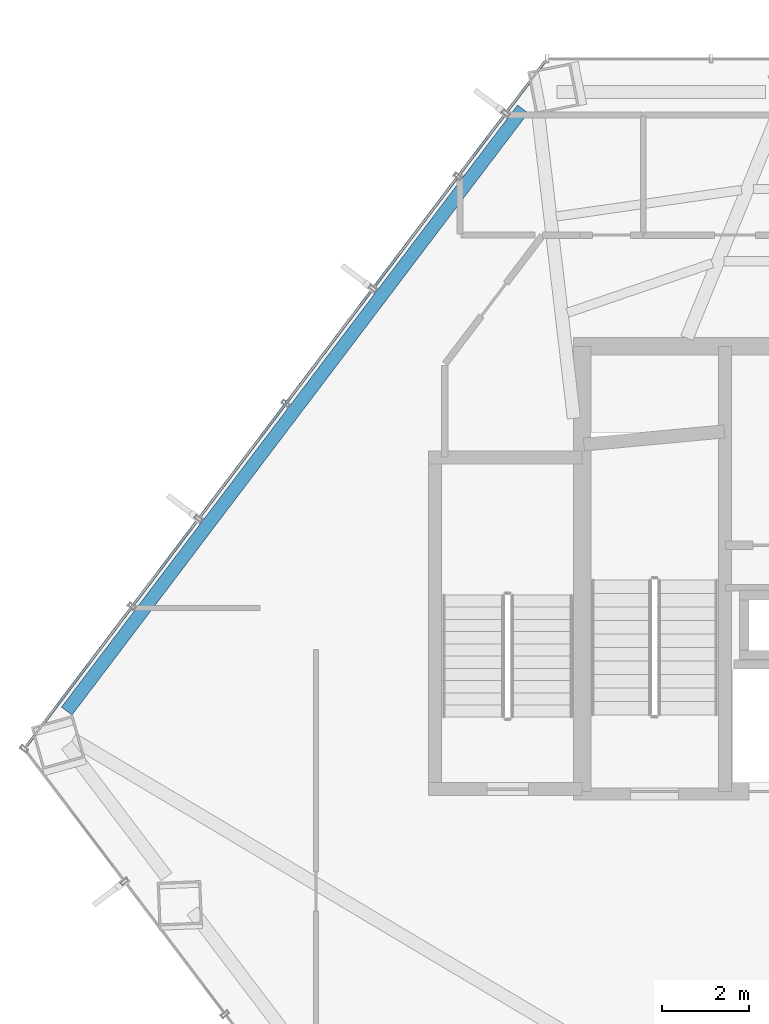
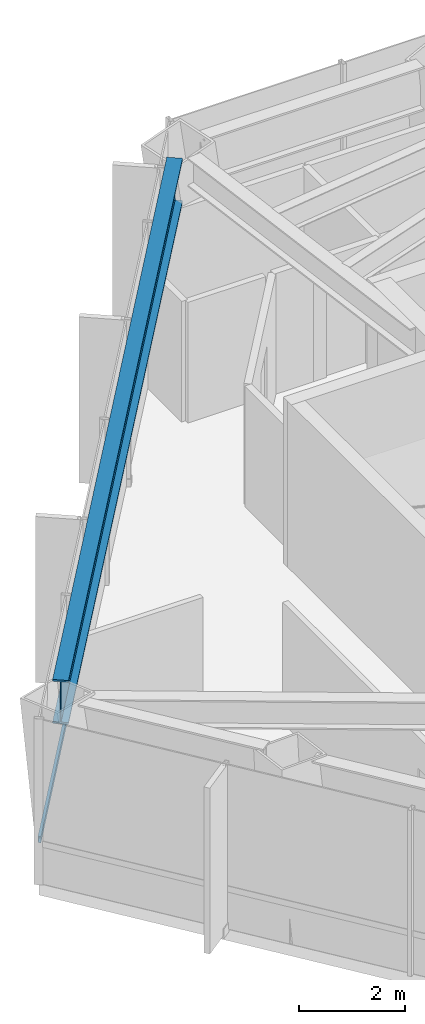
# One storey, part 13 of 27: 1 beam, 1 member, 1 element without a shape of its own.
"""IFC4 building model written with IfcOpenShell, lengths in metres."""

from ifc_helpers import new_model, si_unit, direction, frame, origin, origin_2d, place, context, subcontext, project, spatial, hollow_rectangle, i_section, extrude, material, layer, layer_set, material_profile, profile_set, type_object, element, aggregate, save


model = new_model("IFC4")

# Units and contexts
model_context = context("Model", 3, precision=1e-05, world=origin(), true_north=direction((0.0, 1.0)))
body_context = subcontext(model_context, "Body", "Model", "MODEL_VIEW")
ifc_project = project(units=[si_unit("LENGTHUNIT", "METRE"), si_unit("AREAUNIT", "SQUARE_METRE"), si_unit("VOLUMEUNIT", "CUBIC_METRE"), si_unit("PLANEANGLEUNIT", "RADIAN"), si_unit("MASSUNIT", "GRAM", prefix="KILO")], contexts=[model_context])

# Site, building, storey
site_placement = place(None, origin())
site = spatial("IfcSite", under=ifc_project, at=site_placement, CompositionType="ELEMENT")
building_placement = place(site_placement, origin())
building = spatial("IfcBuilding", under=site, at=building_placement, Name="Zarrinselat Tower", CompositionType="ELEMENT")
storey_placement = place(building_placement, frame((0.0, 0.0, 47.93994140625)))
storey = spatial("IfcBuildingStorey", under=building, at=storey_placement, Name="L11", CompositionType="ELEMENT", Elevation=47.93994140625)

# Beam
ifc_material_1 = material(Name="Steel S460M", Category="steel")
ifc_material_profile_1 = material_profile(ifc_material_1, i_section(OverallWidth=0.302001953125, OverallDepth=1.008056640625, WebThickness=0.02099609375, FlangeThickness=0.0400390625, at=origin_2d()), Name="HEM 1000")
ifc_profile_set_1 = profile_set([ifc_material_profile_1], Name="Steel S460M")
beam_type = type_object("IfcBeamType", Name="BM-HEM1000", PredefinedType="BEAM", material=ifc_profile_set_1)
beam_placement = place(storey_placement, frame((16.787109375, 35.09130859375, 3.316162109375), z_axis=(0.603854157843, 0.7970948225, 0.0), x_axis=(-0.7970948225, 0.603854157843, 0.0)))
element("IfcBeam", 1, at=beam_placement, inside=storey, type_object=beam_type, Name="L11 Perimeter Spandrel Girder SP05", PredefinedType="BEAM", context=body_context, shape_type="SweptSolid", body=[
    extrude(i_section(OverallWidth=0.302001953125, OverallDepth=1.008056640625, WebThickness=0.02099609375, FlangeThickness=0.0400390625, at=origin_2d()), origin(), (0.0, 0.0, 1.0), 17.309814453125),
])

# Curtain wall, member
ifc_material_2 = material(Name="Extruded Aluminium Alloy EN AW-6063 T6", Category="aluminium")
ifc_layer = layer(ifc_material_2, 0.18505859375)
ifc_layer_set = layer_set([ifc_layer], Name="Extruded Aluminium Alloy EN AW-6063 T6")
curtain_wall_type = type_object("IfcCurtainWallType", Name="CWS-OFF", PredefinedType="NOTDEFINED", material=ifc_layer_set)
curtain_wall_placement = place(storey_placement, origin())
curtain_wall = element("IfcCurtainWall", 2, at=curtain_wall_placement, inside=storey, type_object=curtain_wall_type, Name="L11 Unitised Curtain Wall CW-L11-E02", PredefinedType="NOTDEFINED")
ifc_material_3 = material(Name="Extruded Aluminium Alloy EN AW-6063 T6", Category="aluminium")
ifc_material_profile_2 = material_profile(ifc_material_3, hollow_rectangle(XDim=0.06005859375, YDim=0.139892578125, WallThickness=0.00390625, at=origin_2d()), Name="RHS 140x60x4")
ifc_profile_set_2 = profile_set([ifc_material_profile_2], Name="Extruded Aluminium Alloy EN AW-6063 T6")
member_type = type_object("IfcMemberType", Name="MEM-CW-TRN", PredefinedType="USERDEFINED", material=ifc_profile_set_2)
member_placement = place(storey_placement, frame((27.744873046875, 49.97265625, 0.949951171875), z_axis=(-0.603863183809, -0.797087984629, 0.0), x_axis=(0.797087984629, -0.603863183809, 0.0)))
member = element("IfcMember", 3, at=member_placement, type_object=member_type, Name="CW-L11-E02 Transom 1", ObjectType="TRANSOM", PredefinedType="USERDEFINED", context=body_context, shape_type="SweptSolid", body=[
    extrude(hollow_rectangle(XDim=0.06005859375, YDim=0.139892578125, WallThickness=0.00390625, at=origin_2d()), origin(), (0.0, 0.0, 1.0), 19.671630859375),
])
aggregate(curtain_wall, [member])

save(model, "model.ifc")
